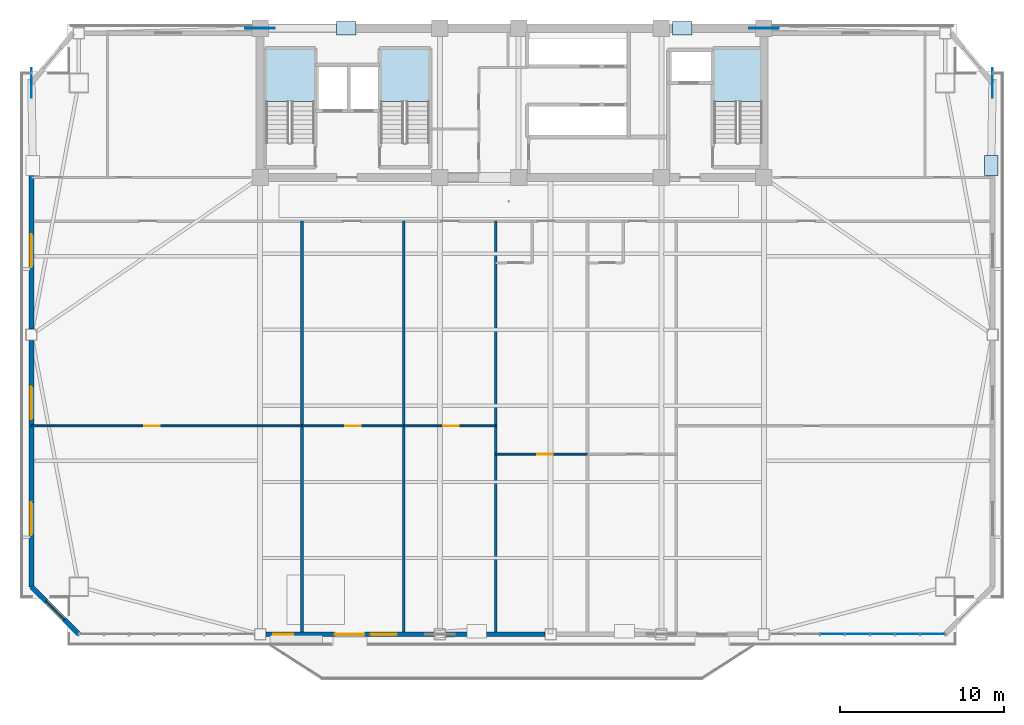
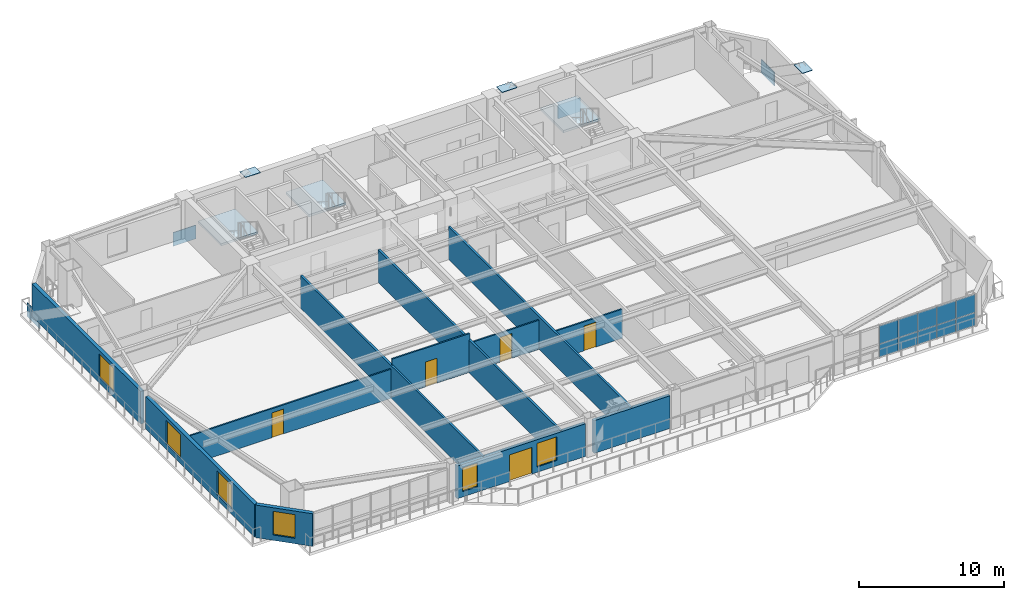
# One storey, part 7 of 15: 17 plates, 12 walls, 6 windows, 5 doors, 3 slabs, 11 openings, 4 elements without a shape of their own.
"""IFC4 building model written with IfcOpenShell, lengths in metres."""

from ifc_helpers import new_model, si_unit, direction, frame, frame_2d, origin, origin_2d, place, context, subcontext, project, spatial, polyline, rectangle, outline, extrude, source, transform, mapped, material, layer, layer_set, type_object, element, fill, aggregate, save


model = new_model("IFC4")

# Units and contexts
model_context = context("Model", 3, precision=1e-05, world=origin(), true_north=direction((0.0, 1.0)))
body_context = subcontext(model_context, "Body", "Model", "MODEL_VIEW")
ifc_project = project(units=[si_unit("LENGTHUNIT", "METRE"), si_unit("AREAUNIT", "SQUARE_METRE"), si_unit("VOLUMEUNIT", "CUBIC_METRE"), si_unit("PLANEANGLEUNIT", "RADIAN"), si_unit("MASSUNIT", "GRAM", prefix="KILO")], contexts=[model_context])

# Site, building, storey
site_placement = place(None, origin())
site = spatial("IfcSite", under=ifc_project, at=site_placement, CompositionType="ELEMENT")
building_placement = place(site_placement, origin())
building = spatial("IfcBuilding", under=site, at=building_placement, Name="Giltprow Tower", CompositionType="ELEMENT")
storey_placement = place(building_placement, frame((0.0, 0.0, 170.199951171875)))
storey = spatial("IfcBuildingStorey", under=building, at=storey_placement, Name="L42", CompositionType="ELEMENT", Elevation=170.199951171875)

# Stair, slab
ifc_material_1 = material(Name="Concrete C40", Category="concrete")
stair_type_1 = type_object("IfcStairType", Name="STR-ST-1", PredefinedType="HALF_TURN_STAIR", material=ifc_material_1)
stair_1_placement = place(storey_placement, origin())
stair_1 = element("IfcStair", 1, at=stair_1_placement, inside=storey, type_object=stair_type_1, Name="L42 Core Exit Stair ST-1", PredefinedType="HALF_TURN_STAIR")
ifc_layer_1 = layer(ifc_material_1, 0.179931640625, Name="Concrete C40")
ifc_layer_set_1 = layer_set([ifc_layer_1], Name="Concrete C40")
slab_type_1 = type_object("IfcSlabType", Name="SLD-ST-1", PredefinedType="LANDING", material=ifc_layer_set_1)
slab_1_placement = place(storey_placement, frame((0.0, 0.0, 1.570068359375)))
slab_1 = element("IfcSlab", 2, at=slab_1_placement, type_object=slab_type_1, Name="ST-1 landing 1", PredefinedType="LANDING", context=body_context, shape_type="SweptSolid", body=[
    extrude(outline(polyline([(23.159912109375, 42.070068359375), (23.159912109375, 45.25), (20.199951171875, 45.25), (20.199951171875, 42.070068359375), (23.159912109375, 42.070068359375)])), origin(), (0.0, 0.0, 1.0), 0.179931640625),
])
aggregate(stair_1, [slab_1])

stair_type_2 = type_object("IfcStairType", Name="STR-ST-2", PredefinedType="HALF_TURN_STAIR", material=ifc_material_1)
stair_2_placement = place(storey_placement, origin())
stair_2 = element("IfcStair", 3, at=stair_2_placement, inside=storey, type_object=stair_type_2, Name="L42 Core Exit Stair ST-2", PredefinedType="HALF_TURN_STAIR")
ifc_layer_2 = layer(ifc_material_1, 0.18798828125, Name="Concrete C40")
ifc_layer_set_2 = layer_set([ifc_layer_2], Name="Concrete C40")
slab_type_2 = type_object("IfcSlabType", Name="SLD-ST-2", PredefinedType="LANDING", material=ifc_layer_set_2)
slab_2_placement = place(storey_placement, frame((0.0, 0.0, 1.56201171875)))
slab_2 = element("IfcSlab", 4, at=slab_2_placement, type_object=slab_type_2, Name="ST-2 landing 1", PredefinedType="LANDING", context=body_context, shape_type="SweptSolid", body=[
    extrude(outline(polyline([(30.159912109375, 42.070068359375), (30.159912109375, 45.25), (27.199951171875, 45.25), (27.199951171875, 42.070068359375), (30.159912109375, 42.070068359375)])), origin(), (0.0, 0.0, 1.0), 0.18798828125),
])
aggregate(stair_2, [slab_2])

stair_type_3 = type_object("IfcStairType", Name="STR-ST-3", PredefinedType="HALF_TURN_STAIR", material=ifc_material_1)
stair_3_placement = place(storey_placement, origin())
stair_3 = element("IfcStair", 5, at=stair_3_placement, inside=storey, type_object=stair_type_3, Name="L42 Core Exit Stair ST-3", PredefinedType="HALF_TURN_STAIR")
ifc_layer_3 = layer(ifc_material_1, 0.196044921875, Name="Concrete C40")
ifc_layer_set_3 = layer_set([ifc_layer_3], Name="Concrete C40")
slab_type_3 = type_object("IfcSlabType", Name="SLD-ST-3", PredefinedType="LANDING", material=ifc_layer_set_3)
slab_3_placement = place(storey_placement, frame((0.0, 0.0, 1.553955078125)))
slab_3 = element("IfcSlab", 6, at=slab_3_placement, type_object=slab_type_3, Name="ST-3 landing 1", PredefinedType="LANDING", context=body_context, shape_type="SweptSolid", body=[
    extrude(outline(polyline([(50.4599609375, 42.070068359375), (50.4599609375, 45.25), (47.5, 45.25), (47.5, 42.070068359375), (50.4599609375, 42.070068359375)])), origin(), (0.0, 0.0, 1.0), 0.196044921875),
])
aggregate(stair_3, [slab_3])

# Plates
ifc_material_2 = material(Name="Structural steel Q420GJC", Category="steel")
plate_type_1 = type_object("IfcPlateType", Name="PLT-NODE-MBN1", PredefinedType="USERDEFINED", material=ifc_material_2)
shared_shape_1 = source(origin(), body_context, "Body", "SweptSolid", [
    extrude(rectangle(XDim=1.800048828125, YDim=0.050048828125, at=origin_2d()), origin(), (0.0, 0.0, 1.0), 1.14990234375),
])
for number, where, z_axis, x_axis, name in (
    (7, (19.85009765625, 46.550048828125, -0.71484375), (0.0, 0.0, 1.0), (1.0, 0.0, 0.0), "Mega-Brace Node L42-N-LA"),
    (8, (50.550048828125, 46.550048828125, -0.71484375), (0.0, 0.0, 1.0), (1.0, 0.0, 0.0), "Mega-Brace Node L42-N-RA"),
    (9, (5.9189453125, 43.212890625, -0.574951171875), (0.0, 0.0, 1.0), (0.0, 1.0, 0.0), "Mega-Brace Node L42-W-RA"),
    (10, (64.48095703125, 43.212890625, -0.574951171875), (0.0, 0.0, 1.0), (0.0, 1.0, 0.0), "Mega-Brace Node L42-E-RA"),
):
    element("IfcPlate", number, at=place(storey_placement, frame(where, z_axis=z_axis, x_axis=x_axis)), inside=storey, type_object=plate_type_1, Name=name, ObjectType="GUSSET", PredefinedType="USERDEFINED", context=body_context, shape_type="MappedRepresentation", body=[
        mapped(shared_shape_1, transform((0.0, 0.0, 0.0), x_axis=(1.0, 0.0, 0.0), y_axis=(0.0, 1.0, 0.0), z_axis=(0.0, 0.0, 1.0), scale=1.0)),
    ])
plate_type_2 = type_object("IfcPlateType", Name="PLT-CAP-SEAL", PredefinedType="USERDEFINED", material=ifc_material_2)
shared_shape_2 = source(origin(), body_context, "Body", "SweptSolid", [
    extrude(rectangle(XDim=1.199951171875, YDim=0.800048828125, at=origin_2d()), origin(), (0.0, 0.0, 1.0), 0.034912109375),
])
for number, where, z_axis, x_axis, name in (
    (11, (25.10009765625, 46.550048828125, 3.3427734375), (0.0, 0.0, 1.0), (1.0, 0.0, 0.0), "Mega-Brace Node L42-N-LB"),
    (12, (45.56689453125, 46.550048828125, 3.3427734375), (0.0, 0.0, 1.0), (1.0, 0.0, 0.0), "Mega-Brace Node L42-N-RB"),
    (13, (64.403076171875, 38.18408203125, 3.482421875), (0.0, 0.0, 1.0), (0.0, 1.0, 0.0), "Mega-Brace Node L42-E-RB"),
):
    element("IfcPlate", number, at=place(storey_placement, frame(where, z_axis=z_axis, x_axis=x_axis)), inside=storey, type_object=plate_type_2, Name=name, ObjectType="SPLICE", PredefinedType="USERDEFINED", context=body_context, shape_type="MappedRepresentation", body=[
        mapped(shared_shape_2, transform((0.0, 0.0, 0.0), x_axis=(1.0, 0.0, 0.0), y_axis=(0.0, 1.0, 0.0), z_axis=(0.0, 0.0, 1.0), scale=1.0)),
    ])

# Curtain wall, plates
ifc_material_3 = material(Name="Anodized bronze", Category="metal")
ifc_layer_4 = layer(ifc_material_3, 0.179931640625, Name="Anodized bronze")
ifc_layer_set_4 = layer_set([ifc_layer_4], Name="Anodized bronze")
curtain_wall_type = type_object("IfcCurtainWallType", Name="CW-HTL-BRONZE", PredefinedType="NOTDEFINED", material=ifc_layer_set_4)
curtain_wall_placement = place(storey_placement, origin())
curtain_wall = element("IfcCurtainWall", 14, at=curtain_wall_placement, inside=storey, type_object=curtain_wall_type, Name="L42 South Recessed Curtain Wall 6", PredefinedType="NOTDEFINED")
ifc_material_4 = material(Name="Insulated glass", Category="glass")
plate_type_3 = type_object("IfcPlateType", Name="CW-PANEL-IGU-28", PredefinedType="CURTAIN_PANEL", material=ifc_material_4)
shared_shape_3 = source(origin(), body_context, "Body", "SweptSolid", [
    extrude(rectangle(XDim=1.498046875, YDim=0.028076171875, at=origin_2d()), origin(), (0.0, 0.0, 1.0), 1.0869140625),
])
plate_1_placement = place(storey_placement, frame((54.718994140625, 9.6259765625, 0.0546875), z_axis=(0.0, 0.0, 1.0), x_axis=(1.0, 0.0, 0.0)))
plate_1 = element("IfcPlate", 15, at=plate_1_placement, type_object=plate_type_3, Name="L42 South Recessed Curtain Wall 6 Glazing Panel 3-1", PredefinedType="CURTAIN_PANEL", context=body_context, shape_type="MappedRepresentation", body=[
    mapped(shared_shape_3, transform((0.0, 0.0, 0.0), x_axis=(1.0, 0.0, 0.0), y_axis=(0.0, 1.0, 0.0), z_axis=(0.0, 0.0, 1.0), scale=1.0)),
])
plate_2_placement = place(storey_placement, frame((56.2470703125, 9.6259765625, 0.0546875), z_axis=(0.0, 0.0, 1.0), x_axis=(1.0, 0.0, 0.0)))
plate_2 = element("IfcPlate", 16, at=plate_2_placement, type_object=plate_type_3, Name="L42 South Recessed Curtain Wall 6 Glazing Panel 4-1", PredefinedType="CURTAIN_PANEL", context=body_context, shape_type="MappedRepresentation", body=[
    mapped(shared_shape_3, transform((0.0, 0.0, 0.0), x_axis=(1.0, 0.0, 0.0), y_axis=(0.0, 1.0, 0.0), z_axis=(0.0, 0.0, 1.0), scale=1.0)),
])
plate_3_placement = place(storey_placement, frame((57.77490234375, 9.6259765625, 0.0546875), z_axis=(0.0, 0.0, 1.0), x_axis=(1.0, 0.0, 0.0)))
plate_3 = element("IfcPlate", 17, at=plate_3_placement, type_object=plate_type_3, Name="L42 South Recessed Curtain Wall 6 Glazing Panel 5-1", PredefinedType="CURTAIN_PANEL", context=body_context, shape_type="MappedRepresentation", body=[
    mapped(shared_shape_3, transform((0.0, 0.0, 0.0), x_axis=(1.0, 0.0, 0.0), y_axis=(0.0, 1.0, 0.0), z_axis=(0.0, 0.0, 1.0), scale=1.0)),
])
plate_4_placement = place(storey_placement, frame((59.302001953125, 9.6259765625, 0.0546875), z_axis=(0.0, 0.0, 1.0), x_axis=(1.0, 0.0, 0.0)))
plate_4 = element("IfcPlate", 18, at=plate_4_placement, type_object=plate_type_3, Name="L42 South Recessed Curtain Wall 6 Glazing Panel 6-1", PredefinedType="CURTAIN_PANEL", context=body_context, shape_type="MappedRepresentation", body=[
    mapped(shared_shape_3, transform((0.0, 0.0, 0.0), x_axis=(1.0, 0.0, 0.0), y_axis=(0.0, 1.0, 0.0), z_axis=(0.0, 0.0, 1.0), scale=1.0)),
])
plate_5_placement = place(storey_placement, frame((60.830078125, 9.6259765625, 0.0546875), z_axis=(0.0, 0.0, 1.0), x_axis=(1.0, 0.0, 0.0)))
plate_5 = element("IfcPlate", 19, at=plate_5_placement, type_object=plate_type_3, Name="L42 South Recessed Curtain Wall 6 Glazing Panel 7-1", PredefinedType="CURTAIN_PANEL", context=body_context, shape_type="MappedRepresentation", body=[
    mapped(shared_shape_3, transform((0.0, 0.0, 0.0), x_axis=(1.0, 0.0, 0.0), y_axis=(0.0, 1.0, 0.0), z_axis=(0.0, 0.0, 1.0), scale=1.0)),
])
shared_shape_4 = source(origin(), body_context, "Body", "SweptSolid", [
    extrude(rectangle(XDim=1.498046875, YDim=0.028076171875, at=origin_2d()), origin(), (0.0, 0.0, 1.0), 1.527099609375),
])
plate_6_placement = place(storey_placement, frame((54.718994140625, 9.6259765625, 1.16845703125), z_axis=(0.0, 0.0, 1.0), x_axis=(1.0, 0.0, 0.0)))
plate_6 = element("IfcPlate", 20, at=plate_6_placement, type_object=plate_type_3, Name="L42 South Recessed Curtain Wall 6 Glazing Panel 3-2", PredefinedType="CURTAIN_PANEL", context=body_context, shape_type="MappedRepresentation", body=[
    mapped(shared_shape_4, transform((0.0, 0.0, 0.0), x_axis=(1.0, 0.0, 0.0), y_axis=(0.0, 1.0, 0.0), z_axis=(0.0, 0.0, 1.0), scale=1.0)),
])
plate_7_placement = place(storey_placement, frame((56.2470703125, 9.6259765625, 1.16845703125), z_axis=(0.0, 0.0, 1.0), x_axis=(1.0, 0.0, 0.0)))
plate_7 = element("IfcPlate", 21, at=plate_7_placement, type_object=plate_type_3, Name="L42 South Recessed Curtain Wall 6 Glazing Panel 4-2", PredefinedType="CURTAIN_PANEL", context=body_context, shape_type="MappedRepresentation", body=[
    mapped(shared_shape_4, transform((0.0, 0.0, 0.0), x_axis=(1.0, 0.0, 0.0), y_axis=(0.0, 1.0, 0.0), z_axis=(0.0, 0.0, 1.0), scale=1.0)),
])
plate_8_placement = place(storey_placement, frame((57.77490234375, 9.6259765625, 1.16845703125), z_axis=(0.0, 0.0, 1.0), x_axis=(1.0, 0.0, 0.0)))
plate_8 = element("IfcPlate", 22, at=plate_8_placement, type_object=plate_type_3, Name="L42 South Recessed Curtain Wall 6 Glazing Panel 5-2", PredefinedType="CURTAIN_PANEL", context=body_context, shape_type="MappedRepresentation", body=[
    mapped(shared_shape_4, transform((0.0, 0.0, 0.0), x_axis=(1.0, 0.0, 0.0), y_axis=(0.0, 1.0, 0.0), z_axis=(0.0, 0.0, 1.0), scale=1.0)),
])
plate_9_placement = place(storey_placement, frame((59.302001953125, 9.6259765625, 1.16845703125), z_axis=(0.0, 0.0, 1.0), x_axis=(1.0, 0.0, 0.0)))
plate_9 = element("IfcPlate", 23, at=plate_9_placement, type_object=plate_type_3, Name="L42 South Recessed Curtain Wall 6 Glazing Panel 6-2", PredefinedType="CURTAIN_PANEL", context=body_context, shape_type="MappedRepresentation", body=[
    mapped(shared_shape_4, transform((0.0, 0.0, 0.0), x_axis=(1.0, 0.0, 0.0), y_axis=(0.0, 1.0, 0.0), z_axis=(0.0, 0.0, 1.0), scale=1.0)),
])
plate_10_placement = place(storey_placement, frame((60.830078125, 9.6259765625, 1.16845703125), z_axis=(0.0, 0.0, 1.0), x_axis=(1.0, 0.0, 0.0)))
plate_10 = element("IfcPlate", 24, at=plate_10_placement, type_object=plate_type_3, Name="L42 South Recessed Curtain Wall 6 Glazing Panel 7-2", PredefinedType="CURTAIN_PANEL", context=body_context, shape_type="MappedRepresentation", body=[
    mapped(shared_shape_4, transform((0.0, 0.0, 0.0), x_axis=(1.0, 0.0, 0.0), y_axis=(0.0, 1.0, 0.0), z_axis=(0.0, 0.0, 1.0), scale=1.0)),
])
aggregate(curtain_wall, [plate_1, plate_6, plate_2, plate_7, plate_3, plate_8, plate_4, plate_9, plate_5, plate_10])

# Wall, opening, window
ifc_material_5 = material(Name="Precast concrete C40", Category="concrete")
ifc_layer_5 = layer(ifc_material_5, 0.300048828125, Name="Precast concrete C40")
ifc_layer_set_5 = layer_set([ifc_layer_5], Name="Precast concrete C40")
wall_type_1 = type_object("IfcWallType", Name="EW-NOTCH-CHAMFER-300", PredefinedType="SOLIDWALL", material=ifc_layer_set_5)
wall_1_placement = place(storey_placement, frame((5.9189453125, 12.512939453125, 0.0), z_axis=(0.0, 0.0, 1.0), x_axis=(0.707106781187, -0.707106781187, 0.0)))
wall_1 = element("IfcWall", 25, at=wall_1_placement, inside=storey, type_object=wall_type_1, Name="L42 Corner Notch Wall SW", PredefinedType="SOLIDWALL", context=body_context, shape_type="SweptSolid", body=[
    extrude(rectangle(XDim=4.082763671875, YDim=0.300048828125, at=frame_2d((2.04150390625, 0.0))), origin(), (0.0, 0.0, 1.0), 2.75),
])
opening_1_placement = place(wall_1_placement, frame((1.240966796875, 0.0, 0.449951171875)))
opening_1 = element("IfcOpeningElement", 26, at=opening_1_placement, cuts=wall_1, Name="Opening WN17", PredefinedType="OPENING", context=body_context, shape_type="SweptSolid", body=[
    extrude(rectangle(XDim=1.60009765625, YDim=2.0, at=frame_2d((0.800048828125, 1.0))), frame((0.0, 0.159912109375, 0.0), z_axis=(0.0, -1.0, 0.0), x_axis=(1.0, 0.0, 0.0)), (0.0, 0.0, 1.0), 0.320068359375),
])
window_type_1 = type_object("IfcWindowType", Name="WN-COR-1600x2000", PartitioningType="SINGLE_PANEL", PredefinedType="WINDOW", material=ifc_material_4)
shared_shape_5 = source(origin(), body_context, "Body", "SweptSolid", [
    extrude(rectangle(XDim=1.60009765625, YDim=2.0, at=frame_2d((0.800048828125, 1.0))), frame((0.0, 0.030029296875, 0.0), z_axis=(0.0, -1.0, 0.0), x_axis=(1.0, 0.0, 0.0)), (0.0, 0.0, 1.0), 0.06005859375),
])
window_1_placement = place(opening_1_placement, origin())
window_1 = element("IfcWindow", 27, at=window_1_placement, inside=storey, type_object=window_type_1, Name="L42 Corner Notch Window SW", OverallHeight=2.0, OverallWidth=1.60009765625, PartitioningType="SINGLE_PANEL", PredefinedType="WINDOW", context=body_context, shape_type="MappedRepresentation", body=[
    mapped(shared_shape_5, transform((0.0, 0.0, 0.0), x_axis=(1.0, 0.0, 0.0), y_axis=(0.0, 1.0, 0.0), z_axis=(0.0, 0.0, 1.0), scale=1.0)),
])
fill(opening_1, window_1)

# Wall, openings, windows, door
ifc_layer_6 = layer(ifc_material_5, 0.280029296875, Name="Precast concrete C40")
ifc_layer_set_6 = layer_set([ifc_layer_6], Name="Precast concrete C40")
wall_type_2 = type_object("IfcWallType", Name="EW-TOW-BRONZE-280", PredefinedType="SOLIDWALL", material=ifc_layer_set_6)
wall_2_placement = place(storey_placement, frame((20.199951171875, 9.6259765625, 0.0), z_axis=(0.0, 0.0, 1.0), x_axis=(1.0, 0.0, 0.0)))
wall_2 = element("IfcWall", 28, at=wall_2_placement, inside=storey, type_object=wall_type_2, Name="L42 South Expressed Frame Wall 2", PredefinedType="SOLIDWALL", context=body_context, shape_type="SweptSolid", body=[
    extrude(rectangle(XDim=10.25, YDim=0.280029296875, at=frame_2d((5.125, 0.0))), origin(), (0.0, 0.0, 1.0), 2.75),
])
opening_2_placement = place(wall_2_placement, frame((4.199951171875, 0.0, 0.0)))
opening_2 = element("IfcOpeningElement", 29, at=opening_2_placement, cuts=wall_2, Name="Opening ED25", PredefinedType="OPENING", context=body_context, shape_type="SweptSolid", body=[
    extrude(rectangle(XDim=1.800048828125, YDim=2.25, at=frame_2d((0.89990234375, 1.125))), frame((0.0, 0.14990234375, 0.0), z_axis=(0.0, -1.0, 0.0), x_axis=(1.0, 0.0, 0.0)), (0.0, 0.0, 1.0), 0.300048828125),
])
opening_3_placement = place(wall_2_placement, frame((0.455078125, 0.0, 0.449951171875)))
opening_3 = element("IfcOpeningElement", 30, at=opening_3_placement, cuts=wall_2, Name="Opening WN11", PredefinedType="OPENING", context=body_context, shape_type="SweptSolid", body=[
    extrude(rectangle(XDim=1.199951171875, YDim=2.0, at=frame_2d((0.60009765625, 1.0))), frame((0.0, 0.14990234375, 0.0), z_axis=(0.0, -1.0, 0.0), x_axis=(1.0, 0.0, 0.0)), (0.0, 0.0, 1.0), 0.300048828125),
])
opening_4_placement = place(wall_2_placement, frame((6.3798828125, 0.0, 0.449951171875)))
opening_4 = element("IfcOpeningElement", 31, at=opening_4_placement, cuts=wall_2, Name="Opening WN17", PredefinedType="OPENING", context=body_context, shape_type="SweptSolid", body=[
    extrude(rectangle(XDim=1.60009765625, YDim=2.0, at=frame_2d((0.800048828125, 1.0))), frame((0.0, 0.14990234375, 0.0), z_axis=(0.0, -1.0, 0.0), x_axis=(1.0, 0.0, 0.0)), (0.0, 0.0, 1.0), 0.300048828125),
])
window_2_placement = place(opening_4_placement, origin())
window_2 = element("IfcWindow", 32, at=window_2_placement, inside=storey, type_object=window_type_1, Name="L42 South Window 2B", OverallHeight=2.0, OverallWidth=1.60009765625, PartitioningType="SINGLE_PANEL", PredefinedType="WINDOW", context=body_context, shape_type="MappedRepresentation", body=[
    mapped(shared_shape_5, transform((0.0, 0.0, 0.0), x_axis=(1.0, 0.0, 0.0), y_axis=(0.0, 1.0, 0.0), z_axis=(0.0, 0.0, 1.0), scale=1.0)),
])
fill(opening_4, window_2)
ifc_material_6 = material(Name="Anodized bronze and glass", Category="glass")
door_type_1 = type_object("IfcDoorType", Name="DR-BALC-SLIDE-1800", OperationType="SLIDING_TO_LEFT", PredefinedType="DOOR", material=ifc_material_6)
shared_shape_6 = source(origin(), body_context, "Body", "SweptSolid", [
    extrude(rectangle(XDim=1.800048828125, YDim=2.25, at=frame_2d((0.89990234375, 1.125))), frame((0.0, 0.02490234375, 0.0), z_axis=(0.0, -1.0, 0.0), x_axis=(1.0, 0.0, 0.0)), (0.0, 0.0, 1.0), 0.050048828125),
])
door_1_placement = place(opening_2_placement, origin())
door_1 = element("IfcDoor", 33, at=door_1_placement, inside=storey, type_object=door_type_1, Name="L42 Waterfront Balcony Sliding Door 1", OperationType="SLIDING_TO_LEFT", OverallHeight=2.25, OverallWidth=1.800048828125, PredefinedType="DOOR", context=body_context, shape_type="MappedRepresentation", body=[
    mapped(shared_shape_6, transform((0.0, 0.0, 0.0), x_axis=(1.0, 0.0, 0.0), y_axis=(0.0, 1.0, 0.0), z_axis=(0.0, 0.0, 1.0), scale=1.0)),
])
fill(opening_2, door_1)
window_type_2 = type_object("IfcWindowType", Name="WN-LANCET-1200x2000", PartitioningType="SINGLE_PANEL", PredefinedType="WINDOW", material=ifc_material_4)
shared_shape_7 = source(origin(), body_context, "Body", "SweptSolid", [
    extrude(rectangle(XDim=1.199951171875, YDim=2.0, at=frame_2d((0.60009765625, 1.0))), frame((0.0, 0.030029296875, 0.0), z_axis=(0.0, -1.0, 0.0), x_axis=(1.0, 0.0, 0.0)), (0.0, 0.0, 1.0), 0.06005859375),
])
window_3_placement = place(opening_3_placement, origin())
window_3 = element("IfcWindow", 34, at=window_3_placement, inside=storey, type_object=window_type_2, Name="L42 South Window 2A", OverallHeight=2.0, OverallWidth=1.199951171875, PartitioningType="SINGLE_PANEL", PredefinedType="WINDOW", context=body_context, shape_type="MappedRepresentation", body=[
    mapped(shared_shape_7, transform((0.0, 0.0, 0.0), x_axis=(1.0, 0.0, 0.0), y_axis=(0.0, 1.0, 0.0), z_axis=(0.0, 0.0, 1.0), scale=1.0)),
])
fill(opening_3, window_3)

# Wall
wall_3_placement = place(storey_placement, frame((31.14990234375, 9.6259765625, 0.0), z_axis=(0.0, 0.0, 1.0), x_axis=(1.0, 0.0, 0.0)))
element("IfcWall", 35, at=wall_3_placement, inside=storey, type_object=wall_type_2, Name="L42 South Expressed Frame Wall 3", PredefinedType="SOLIDWALL", context=body_context, shape_type="SweptSolid", body=[
    extrude(rectangle(XDim=6.050048828125, YDim=0.280029296875, at=frame_2d((3.02490234375, 0.0))), origin(), (0.0, 0.0, 1.0), 2.75),
])

# Wall, openings, windows
wall_4_placement = place(storey_placement, frame((5.9189453125, 12.512939453125, 0.0), z_axis=(0.0, 0.0, 1.0), x_axis=(0.0, 1.0, 0.0)))
wall_4 = element("IfcWall", 36, at=wall_4_placement, inside=storey, type_object=wall_type_2, Name="L42 W Wing Masonry Wall 1", PredefinedType="SOLIDWALL", context=body_context, shape_type="SweptSolid", body=[
    extrude(rectangle(XDim=15.0, YDim=0.280029296875, at=frame_2d((7.5, 0.0))), origin(), (0.0, 0.0, 1.0), 2.75),
])
opening_5_placement = place(wall_4_placement, frame((3.139892578125, 0.0, 0.449951171875)))
opening_5 = element("IfcOpeningElement", 37, at=opening_5_placement, cuts=wall_4, Name="Opening WN21", PredefinedType="OPENING", context=body_context, shape_type="SweptSolid", body=[
    extrude(rectangle(XDim=2.0, YDim=2.0, at=frame_2d((1.0, 1.0))), frame((0.0, 0.14990234375, 0.0), z_axis=(0.0, -1.0, 0.0), x_axis=(1.0, 0.0, 0.0)), (0.0, 0.0, 1.0), 0.300048828125),
])
opening_6_placement = place(wall_4_placement, frame((10.199951171875, 0.0, 0.449951171875)))
opening_6 = element("IfcOpeningElement", 38, at=opening_6_placement, cuts=wall_4, Name="Opening WN21", PredefinedType="OPENING", context=body_context, shape_type="SweptSolid", body=[
    extrude(rectangle(XDim=2.0, YDim=2.0, at=frame_2d((1.0, 1.0))), frame((0.0, 0.14990234375, 0.0), z_axis=(0.0, -1.0, 0.0), x_axis=(1.0, 0.0, 0.0)), (0.0, 0.0, 1.0), 0.300048828125),
])
window_type_3 = type_object("IfcWindowType", Name="WN-HTL-2000x2000", PartitioningType="DOUBLE_PANEL_VERTICAL", PredefinedType="WINDOW", material=ifc_material_4)
shared_shape_8 = source(origin(), body_context, "Body", "SweptSolid", [
    extrude(rectangle(XDim=2.0, YDim=2.0, at=frame_2d((1.0, 1.0))), frame((0.0, 0.030029296875, 0.0), z_axis=(0.0, -1.0, 0.0), x_axis=(1.0, 0.0, 0.0)), (0.0, 0.0, 1.0), 0.06005859375),
])
window_4_placement = place(opening_5_placement, origin())
window_4 = element("IfcWindow", 39, at=window_4_placement, inside=storey, type_object=window_type_3, Name="L42 W Wing Window 1-1A", OverallHeight=2.0, OverallWidth=2.0, PartitioningType="SINGLE_PANEL", PredefinedType="WINDOW", context=body_context, shape_type="MappedRepresentation", body=[
    mapped(shared_shape_8, transform((0.0, 0.0, 0.0), x_axis=(1.0, 0.0, 0.0), y_axis=(0.0, 1.0, 0.0), z_axis=(0.0, 0.0, 1.0), scale=1.0)),
])
fill(opening_5, window_4)
window_5_placement = place(opening_6_placement, origin())
window_5 = element("IfcWindow", 40, at=window_5_placement, inside=storey, type_object=window_type_3, Name="L42 W Wing Window 1-1B", OverallHeight=2.0, OverallWidth=2.0, PartitioningType="SINGLE_PANEL", PredefinedType="WINDOW", context=body_context, shape_type="MappedRepresentation", body=[
    mapped(shared_shape_8, transform((0.0, 0.0, 0.0), x_axis=(1.0, 0.0, 0.0), y_axis=(0.0, 1.0, 0.0), z_axis=(0.0, 0.0, 1.0), scale=1.0)),
])
fill(opening_6, window_5)

# Wall, opening, window
wall_5_placement = place(storey_placement, frame((5.9189453125, 28.212890625, 0.0), z_axis=(0.0, 0.0, 1.0), x_axis=(0.0, 1.0, 0.0)))
wall_5 = element("IfcWall", 41, at=wall_5_placement, inside=storey, type_object=wall_type_2, Name="L42 W Wing Masonry Wall 2", PredefinedType="SOLIDWALL", context=body_context, shape_type="SweptSolid", body=[
    extrude(rectangle(XDim=15.0, YDim=0.280029296875, at=frame_2d((7.5, 0.0))), origin(), (0.0, 0.0, 1.0), 2.75),
])
opening_7_placement = place(wall_5_placement, frame((3.784912109375, 0.0, 0.449951171875)))
opening_7 = element("IfcOpeningElement", 42, at=opening_7_placement, cuts=wall_5, Name="Opening WN21", PredefinedType="OPENING", context=body_context, shape_type="SweptSolid", body=[
    extrude(rectangle(XDim=2.0, YDim=2.0, at=frame_2d((1.0, 1.0))), frame((0.0, 0.14990234375, 0.0), z_axis=(0.0, -1.0, 0.0), x_axis=(1.0, 0.0, 0.0)), (0.0, 0.0, 1.0), 0.300048828125),
])
window_6_placement = place(opening_7_placement, origin())
window_6 = element("IfcWindow", 43, at=window_6_placement, inside=storey, type_object=window_type_3, Name="L42 W Wing Window 2-1", OverallHeight=2.0, OverallWidth=2.0, PartitioningType="SINGLE_PANEL", PredefinedType="WINDOW", context=body_context, shape_type="MappedRepresentation", body=[
    mapped(shared_shape_8, transform((0.0, 0.0, 0.0), x_axis=(1.0, 0.0, 0.0), y_axis=(0.0, 1.0, 0.0), z_axis=(0.0, 0.0, 1.0), scale=1.0)),
])
fill(opening_7, window_6)

# Walls
ifc_material_7 = material(Name="Gypsum stud partition", Category="gypsum")
ifc_layer_7 = layer(ifc_material_7, 0.159912109375, Name="Gypsum stud partition")
ifc_layer_set_7 = layer_set([ifc_layer_7], Name="Gypsum stud partition")
wall_type_3 = type_object("IfcWallType", Name="IW-DEMISE-160", PredefinedType="PARTITIONING", material=ifc_layer_set_7)
for number, where, z_axis, x_axis, name in (
    (44, (22.39990234375, 9.6259765625, 0.0), (0.0, 0.0, 1.0), (0.0, 1.0, 0.0), "L42 Hotel Demising Wall 1"),
    (45, (28.60009765625, 9.6259765625, 0.0), (0.0, 0.0, 1.0), (0.0, 1.0, 0.0), "L42 Hotel Demising Wall 2"),
    (46, (34.199951171875, 9.6259765625, 0.0), (0.0, 0.0, 1.0), (0.0, 1.0, 0.0), "L42 Hotel Demising Wall 3"),
):
    element("IfcWall", number, at=place(storey_placement, frame(where, z_axis=z_axis, x_axis=x_axis)), inside=storey, type_object=wall_type_3, Name=name, PredefinedType="PARTITIONING", context=body_context, shape_type="SweptSolid", body=[
        extrude(rectangle(XDim=25.174072265625, YDim=0.159912109375, at=frame_2d((12.5869140625, 0.0))), origin(), (0.0, 0.0, 1.0), 2.755126953125),
    ])

# Wall, opening, door
ifc_layer_8 = layer(ifc_material_7, 0.1201171875, Name="Gypsum stud partition")
ifc_layer_set_8 = layer_set([ifc_layer_8], Name="Gypsum stud partition")
wall_type_4 = type_object("IfcWallType", Name="IW-ROOM-120", PredefinedType="PARTITIONING", material=ifc_layer_set_8)
wall_6_placement = place(storey_placement, frame((5.9189453125, 22.31298828125, 0.0), z_axis=(0.0, 0.0, 1.0), x_axis=(1.0, 0.0, 0.0)))
wall_6 = element("IfcWall", 47, at=wall_6_placement, inside=storey, type_object=wall_type_4, Name="L42 Amenity Mid Wall 1", PredefinedType="PARTITIONING", context=body_context, shape_type="SweptSolid", body=[
    extrude(rectangle(XDim=16.48095703125, YDim=0.1201171875, at=frame_2d((8.240478515625, 0.0))), origin(), (0.0, 0.0, 1.0), 2.455078125),
])
opening_8_placement = place(wall_6_placement, frame((6.8779296875, 0.0, 0.0)))
opening_8 = element("IfcOpeningElement", 48, at=opening_8_placement, cuts=wall_6, Name="Opening ID11", PredefinedType="OPENING", context=body_context, shape_type="SweptSolid", body=[
    extrude(rectangle(XDim=0.949951171875, YDim=2.10009765625, at=frame_2d((0.47509765625, 1.050048828125))), frame((0.0, 0.070068359375, 0.0), z_axis=(0.0, -1.0, 0.0), x_axis=(1.0, 0.0, 0.0)), (0.0, 0.0, 1.0), 0.14013671875),
])
ifc_material_8 = material(Name="Engineered timber", Category="wood")
door_type_2 = type_object("IfcDoorType", Name="DR-ROOM-950", OperationType="SINGLE_SWING_RIGHT", PredefinedType="DOOR", material=ifc_material_8)
shared_shape_9 = source(origin(), body_context, "Body", "SweptSolid", [
    extrude(rectangle(XDim=0.949951171875, YDim=2.10009765625, at=frame_2d((0.47509765625, 1.050048828125))), frame((0.0, 0.02490234375, 0.0), z_axis=(0.0, -1.0, 0.0), x_axis=(1.0, 0.0, 0.0)), (0.0, 0.0, 1.0), 0.050048828125),
])
door_2_placement = place(opening_8_placement, origin())
door_2 = element("IfcDoor", 49, at=door_2_placement, inside=storey, type_object=door_type_2, Name="L42 Hotel Gift Shop 1 Inner Door", OperationType="SINGLE_SWING_RIGHT", OverallHeight=2.10009765625, OverallWidth=0.949951171875, PredefinedType="DOOR", context=body_context, shape_type="MappedRepresentation", body=[
    mapped(shared_shape_9, transform((0.0, 0.0, 0.0), x_axis=(1.0, 0.0, 0.0), y_axis=(0.0, 1.0, 0.0), z_axis=(0.0, 0.0, 1.0), scale=1.0)),
])
fill(opening_8, door_2)

wall_7_placement = place(storey_placement, frame((22.39990234375, 22.31298828125, 0.0), z_axis=(0.0, 0.0, 1.0), x_axis=(1.0, 0.0, 0.0)))
wall_7 = element("IfcWall", 50, at=wall_7_placement, inside=storey, type_object=wall_type_4, Name="L42 Amenity Mid Wall 2", PredefinedType="PARTITIONING", context=body_context, shape_type="SweptSolid", body=[
    extrude(rectangle(XDim=6.2001953125, YDim=0.1201171875, at=frame_2d((3.10009765625, 0.0))), origin(), (0.0, 0.0, 1.0), 3.27001953125),
])
opening_9_placement = place(wall_7_placement, frame((2.64599609375, 0.0, 0.0)))
opening_9 = element("IfcOpeningElement", 51, at=opening_9_placement, cuts=wall_7, Name="Opening ID11", PredefinedType="OPENING", context=body_context, shape_type="SweptSolid", body=[
    extrude(rectangle(XDim=0.949951171875, YDim=2.10009765625, at=frame_2d((0.47509765625, 1.050048828125))), frame((0.0, 0.070068359375, 0.0), z_axis=(0.0, -1.0, 0.0), x_axis=(1.0, 0.0, 0.0)), (0.0, 0.0, 1.0), 0.14013671875),
])
door_3_placement = place(opening_9_placement, origin())
door_3 = element("IfcDoor", 52, at=door_3_placement, inside=storey, type_object=door_type_2, Name="L42 Luxury Watch Shop 2 Inner Door", OperationType="SINGLE_SWING_RIGHT", OverallHeight=2.10009765625, OverallWidth=0.949951171875, PredefinedType="DOOR", context=body_context, shape_type="MappedRepresentation", body=[
    mapped(shared_shape_9, transform((0.0, 0.0, 0.0), x_axis=(1.0, 0.0, 0.0), y_axis=(0.0, 1.0, 0.0), z_axis=(0.0, 0.0, 1.0), scale=1.0)),
])
fill(opening_9, door_3)

wall_8_placement = place(storey_placement, frame((28.60009765625, 22.31298828125, 0.0), z_axis=(0.0, 0.0, 1.0), x_axis=(1.0, 0.0, 0.0)))
wall_8 = element("IfcWall", 53, at=wall_8_placement, inside=storey, type_object=wall_type_4, Name="L42 Amenity Mid Wall 3", PredefinedType="PARTITIONING", context=body_context, shape_type="SweptSolid", body=[
    extrude(rectangle(XDim=5.599853515625, YDim=0.1201171875, at=frame_2d((2.7998046875, 0.0))), origin(), (0.0, 0.0, 1.0), 2.455078125),
])
opening_10_placement = place(wall_8_placement, frame((2.406005859375, 0.0, 0.0)))
opening_10 = element("IfcOpeningElement", 54, at=opening_10_placement, cuts=wall_8, Name="Opening ID11", PredefinedType="OPENING", context=body_context, shape_type="SweptSolid", body=[
    extrude(rectangle(XDim=0.949951171875, YDim=2.10009765625, at=frame_2d((0.47509765625, 1.050048828125))), frame((0.0, 0.070068359375, 0.0), z_axis=(0.0, -1.0, 0.0), x_axis=(1.0, 0.0, 0.0)), (0.0, 0.0, 1.0), 0.14013671875),
])
door_4_placement = place(opening_10_placement, origin())
door_4 = element("IfcDoor", 55, at=door_4_placement, inside=storey, type_object=door_type_2, Name="L42 Silk Tailor Shop 3 Inner Door", OperationType="SINGLE_SWING_RIGHT", OverallHeight=2.10009765625, OverallWidth=0.949951171875, PredefinedType="DOOR", context=body_context, shape_type="MappedRepresentation", body=[
    mapped(shared_shape_9, transform((0.0, 0.0, 0.0), x_axis=(1.0, 0.0, 0.0), y_axis=(0.0, 1.0, 0.0), z_axis=(0.0, 0.0, 1.0), scale=1.0)),
])
fill(opening_10, door_4)

wall_9_placement = place(storey_placement, frame((34.199951171875, 20.590087890625, 0.0), z_axis=(0.0, 0.0, 1.0), x_axis=(1.0, 0.0, 0.0)))
wall_9 = element("IfcWall", 56, at=wall_9_placement, inside=storey, type_object=wall_type_4, Name="L42 Suite Parlour Divider 4", PredefinedType="PARTITIONING", context=body_context, shape_type="SweptSolid", body=[
    extrude(rectangle(XDim=5.60009765625, YDim=0.1201171875, at=frame_2d((2.800048828125, 0.0))), origin(), (0.0, 0.0, 1.0), 2.455078125),
])
opening_11_placement = place(wall_9_placement, frame((2.52490234375, 0.0, 0.0)))
opening_11 = element("IfcOpeningElement", 57, at=opening_11_placement, cuts=wall_9, Name="Opening ID11", PredefinedType="OPENING", context=body_context, shape_type="SweptSolid", body=[
    extrude(rectangle(XDim=0.949951171875, YDim=2.10009765625, at=frame_2d((0.47509765625, 1.050048828125))), frame((0.0, 0.070068359375, 0.0), z_axis=(0.0, -1.0, 0.0), x_axis=(1.0, 0.0, 0.0)), (0.0, 0.0, 1.0), 0.14013671875),
])
door_5_placement = place(opening_11_placement, origin())
door_5 = element("IfcDoor", 58, at=door_5_placement, inside=storey, type_object=door_type_2, Name="L42 Harbour Parlour 4 Door", OperationType="SINGLE_SWING_LEFT", OverallHeight=2.10009765625, OverallWidth=0.949951171875, PredefinedType="DOOR", context=body_context, shape_type="MappedRepresentation", body=[
    mapped(shared_shape_9, transform((0.0, 0.0, 0.0), x_axis=(1.0, 0.0, 0.0), y_axis=(0.0, 1.0, 0.0), z_axis=(0.0, 0.0, 1.0), scale=1.0)),
])
fill(opening_11, door_5)

save(model, "model.ifc")
